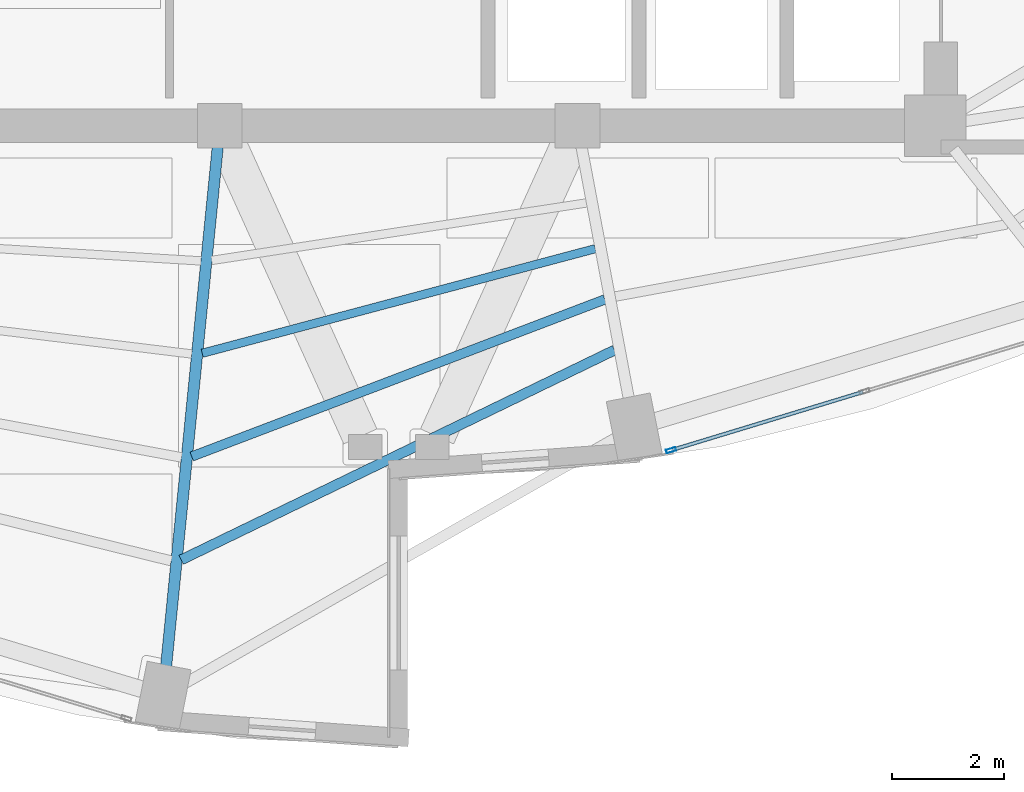
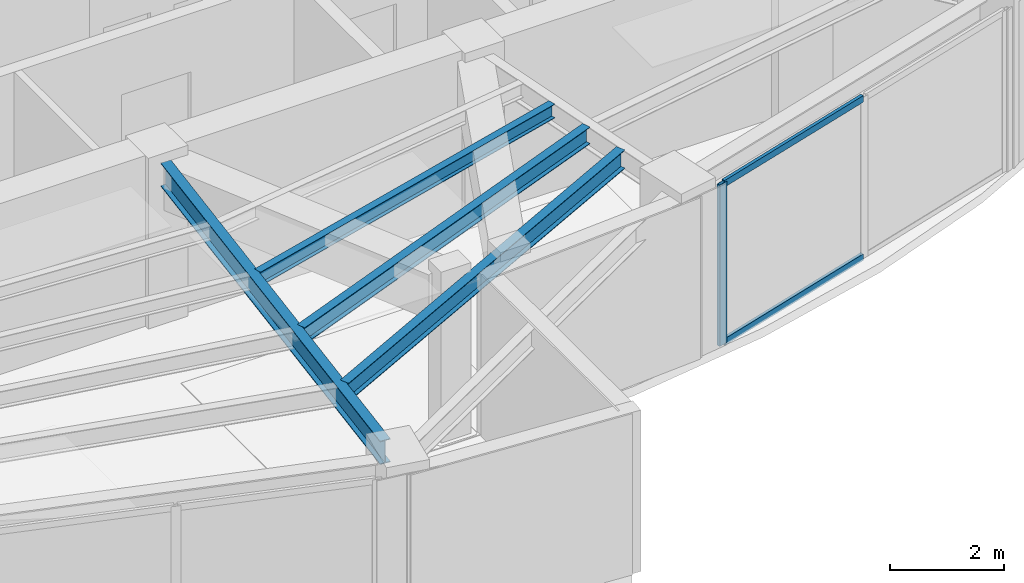
# One storey, part 6 of 23: 4 beams, 3 members, 1 element without a shape of its own.
"""IFC4 building model written with IfcOpenShell, lengths in metres."""

from ifc_helpers import new_model, si_unit, direction, frame, origin, origin_2d, place, context, subcontext, project, spatial, hollow_rectangle, i_section, extrude, material, layer, layer_set, material_profile, profile_set, type_object, element, aggregate, save


model = new_model("IFC4")

# Units and contexts
model_context = context("Model", 3, precision=1e-05, world=origin(), true_north=direction((0.0, 1.0)))
body_context = subcontext(model_context, "Body", "Model", "MODEL_VIEW")
ifc_project = project(units=[si_unit("LENGTHUNIT", "METRE"), si_unit("AREAUNIT", "SQUARE_METRE"), si_unit("VOLUMEUNIT", "CUBIC_METRE"), si_unit("PLANEANGLEUNIT", "RADIAN"), si_unit("MASSUNIT", "GRAM", prefix="KILO")], contexts=[model_context])

# Site, building, storey
site_placement = place(None, origin())
site = spatial("IfcSite", under=ifc_project, at=site_placement, CompositionType="ELEMENT")
building_placement = place(site_placement, origin())
building = spatial("IfcBuilding", under=site, at=building_placement, Name="Lazwardi Medical Tower", CompositionType="ELEMENT")
storey_placement = place(building_placement, frame((0.0, 0.0, 213.072021484375)))
storey = spatial("IfcBuildingStorey", under=building, at=storey_placement, Name="L55", CompositionType="ELEMENT", Elevation=213.072021484375)

# Beams
ifc_material_1 = material(Name="Steel S355", Category="steel")
ifc_material_profile_1 = material_profile(ifc_material_1, i_section(OverallWidth=0.199951171875, OverallDepth=0.5, WebThickness=0.01025390625, FlangeThickness=0.01611328125, at=origin_2d()), Name="IPE 500")
ifc_profile_set_1 = profile_set([ifc_material_profile_1], Name="Steel S355")
beam_type_1 = type_object("IfcBeamType", Name="BM-RG-W3", PredefinedType="BEAM", material=ifc_profile_set_1)
beam_1_placement = place(storey_placement, frame((31.8388671875, 10.734130859375, 3.197998046875), z_axis=(0.098954361922, 0.995091972763, 0.0), x_axis=(-0.995091972763, 0.098954361922, 0.0)))
element("IfcBeam", 1, at=beam_1_placement, inside=storey, type_object=beam_type_1, Name="Radial girder RG-04 R16 L55", PredefinedType="BEAM", context=body_context, shape_type="SweptSolid", body=[
    extrude(i_section(OverallWidth=0.199951171875, OverallDepth=0.5, WebThickness=0.01025390625, FlangeThickness=0.01611328125, at=origin_2d()), origin(), (0.0, 0.0, 1.0), 9.32861328125),
])
ifc_material_profile_2 = material_profile(ifc_material_1, i_section(OverallWidth=0.179931640625, OverallDepth=0.39990234375, WebThickness=0.008544921875, FlangeThickness=0.013427734375, at=origin_2d()), Name="IPE 400")
ifc_profile_set_2 = profile_set([ifc_material_profile_2], Name="Steel S355")
beam_type_2 = type_object("IfcBeamType", Name="BM-SJ-01", PredefinedType="JOIST", material=ifc_profile_set_2)
beam_2_placement = place(storey_placement, frame((32.10888671875, 12.632080078125, 3.248046875), z_axis=(0.900068885459, 0.435747635024, 0.0), x_axis=(-0.435747635024, 0.900068885459, 0.0)))
element("IfcBeam", 2, at=beam_2_placement, inside=storey, type_object=beam_type_2, Name="Secondary joist SJ-01 R1 B16 L55", PredefinedType="JOIST", context=body_context, shape_type="SweptSolid", body=[
    extrude(i_section(OverallWidth=0.179931640625, OverallDepth=0.39990234375, WebThickness=0.008544921875, FlangeThickness=0.013427734375, at=origin_2d()), origin(), (0.0, 0.0, 1.0), 8.612548828125),
])
ifc_material_profile_3 = material_profile(ifc_material_1, i_section(OverallWidth=0.169921875, OverallDepth=0.360107421875, WebThickness=0.008056640625, FlangeThickness=0.0126953125, at=origin_2d()), Name="IPE 360")
ifc_profile_set_3 = profile_set([ifc_material_profile_3], Name="Steel S355")
beam_type_3 = type_object("IfcBeamType", Name="BM-SJ-02", PredefinedType="JOIST", material=ifc_profile_set_3)
beam_3_placement = place(storey_placement, frame((32.296875, 14.48095703125, 3.26806640625), z_axis=(0.934714470268, 0.355399576633, 0.0), x_axis=(-0.355399576633, 0.934714470268, 0.0)))
element("IfcBeam", 3, at=beam_3_placement, inside=storey, type_object=beam_type_3, Name="Secondary joist SJ-02 R2 B16 L55", PredefinedType="JOIST", context=body_context, shape_type="SweptSolid", body=[
    extrude(i_section(OverallWidth=0.169921875, OverallDepth=0.360107421875, WebThickness=0.008056640625, FlangeThickness=0.0126953125, at=origin_2d()), origin(), (0.0, 0.0, 1.0), 7.908203125),
])
ifc_material_profile_4 = material_profile(ifc_material_1, i_section(OverallWidth=0.14990234375, OverallDepth=0.300048828125, WebThickness=0.007080078125, FlangeThickness=0.0107421875, at=origin_2d()), Name="IPE 300")
ifc_profile_set_4 = profile_set([ifc_material_profile_4], Name="Steel S355")
beam_type_4 = type_object("IfcBeamType", Name="BM-SJ-03", PredefinedType="JOIST", material=ifc_profile_set_4)
beam_4_placement = place(storey_placement, frame((32.484619140625, 16.328125, 3.298095703125), z_axis=(0.966369007826, 0.257159368316, 0.0), x_axis=(-0.257159368316, 0.966369007826, 0.0)))
element("IfcBeam", 4, at=beam_4_placement, inside=storey, type_object=beam_type_4, Name="Secondary joist SJ-03 R3 B16 L55", PredefinedType="JOIST", context=body_context, shape_type="SweptSolid", body=[
    extrude(i_section(OverallWidth=0.14990234375, OverallDepth=0.300048828125, WebThickness=0.007080078125, FlangeThickness=0.0107421875, at=origin_2d()), origin(), (0.0, 0.0, 1.0), 7.27685546875),
])

# Curtain wall, members
ifc_material_2 = material(Name="Anodised bronze aluminium and solar control glazing", Category="aluminium")
ifc_layer = layer(ifc_material_2, 0.18994140625)
ifc_layer_set = layer_set([ifc_layer], Name="Anodised bronze aluminium and solar control glazing")
curtain_wall_type = type_object("IfcCurtainWallType", Name="CW-SYS-04", PredefinedType="NOTDEFINED", material=ifc_layer_set)
curtain_wall_placement = place(storey_placement, origin())
curtain_wall = element("IfcCurtainWall", 5, at=curtain_wall_placement, inside=storey, type_object=curtain_wall_type, Name="L55 Unitised bronze curtain wall CW-04", PredefinedType="NOTDEFINED")
ifc_material_3 = material(Name="Anodised bronze aluminium", Category="aluminium")
ifc_material_profile_5 = material_profile(ifc_material_3, hollow_rectangle(XDim=0.06494140625, YDim=0.179931640625, WallThickness=0.00390625, at=origin_2d()), Name="ALU-MULLION 180x65x4")
ifc_profile_set_5 = profile_set([ifc_material_profile_5], Name="Anodised bronze aluminium")
member_type_1 = type_object("IfcMemberType", Name="CW-MUL-03", PredefinedType="MULLION", material=ifc_profile_set_5)
member_1_placement = place(storey_placement, frame((40.873046875, 14.593017578125, 0.0), z_axis=(0.0, 0.0, 1.0), x_axis=(-0.290581889515, 0.956850126972, 0.0)))
member_1 = element("IfcMember", 6, at=member_1_placement, type_object=member_type_1, Name="CW-04 mullion 1", PredefinedType="MULLION", context=body_context, shape_type="SweptSolid", body=[
    extrude(hollow_rectangle(XDim=0.06494140625, YDim=0.179931640625, WallThickness=0.00390625, at=origin_2d()), origin(), (0.0, 0.0, 1.0), 3.447998046875),
])
ifc_material_profile_6 = material_profile(ifc_material_3, hollow_rectangle(XDim=0.06494140625, YDim=0.139892578125, WallThickness=0.00341796875, at=origin_2d()), Name="ALU-TRANSOM 140x65x3.5")
ifc_profile_set_6 = profile_set([ifc_material_profile_6], Name="Anodised bronze aluminium")
member_type_2 = type_object("IfcMemberType", Name="CW-TRN-03", PredefinedType="USERDEFINED", material=ifc_profile_set_6)
member_2_placement = place(storey_placement, frame((40.904296875, 14.602294921875, 0.032470703125), z_axis=(0.956843409009, 0.290604010015, 0.0), x_axis=(-0.290604010015, 0.956843409009, 0.0)))
member_2 = element("IfcMember", 7, at=member_2_placement, type_object=member_type_2, Name="CW-04 transom 1.1", ObjectType="TRANSOM", PredefinedType="USERDEFINED", context=body_context, shape_type="SweptSolid", body=[
    extrude(hollow_rectangle(XDim=0.06494140625, YDim=0.139892578125, WallThickness=0.00341796875, at=origin_2d()), origin(), (0.0, 0.0, 1.0), 3.554443359375),
])
member_3_placement = place(storey_placement, frame((40.904296875, 14.602294921875, 3.41552734375), z_axis=(0.956843409009, 0.290604010015, 0.0), x_axis=(-0.290604010015, 0.956843409009, 0.0)))
member_3 = element("IfcMember", 8, at=member_3_placement, type_object=member_type_2, Name="CW-04 transom 1.2", ObjectType="TRANSOM", PredefinedType="USERDEFINED", context=body_context, shape_type="SweptSolid", body=[
    extrude(hollow_rectangle(XDim=0.06494140625, YDim=0.139892578125, WallThickness=0.00341796875, at=origin_2d()), origin(), (0.0, 0.0, 1.0), 3.554443359375),
])
aggregate(curtain_wall, [member_1, member_2, member_3])

save(model, "model.ifc")
